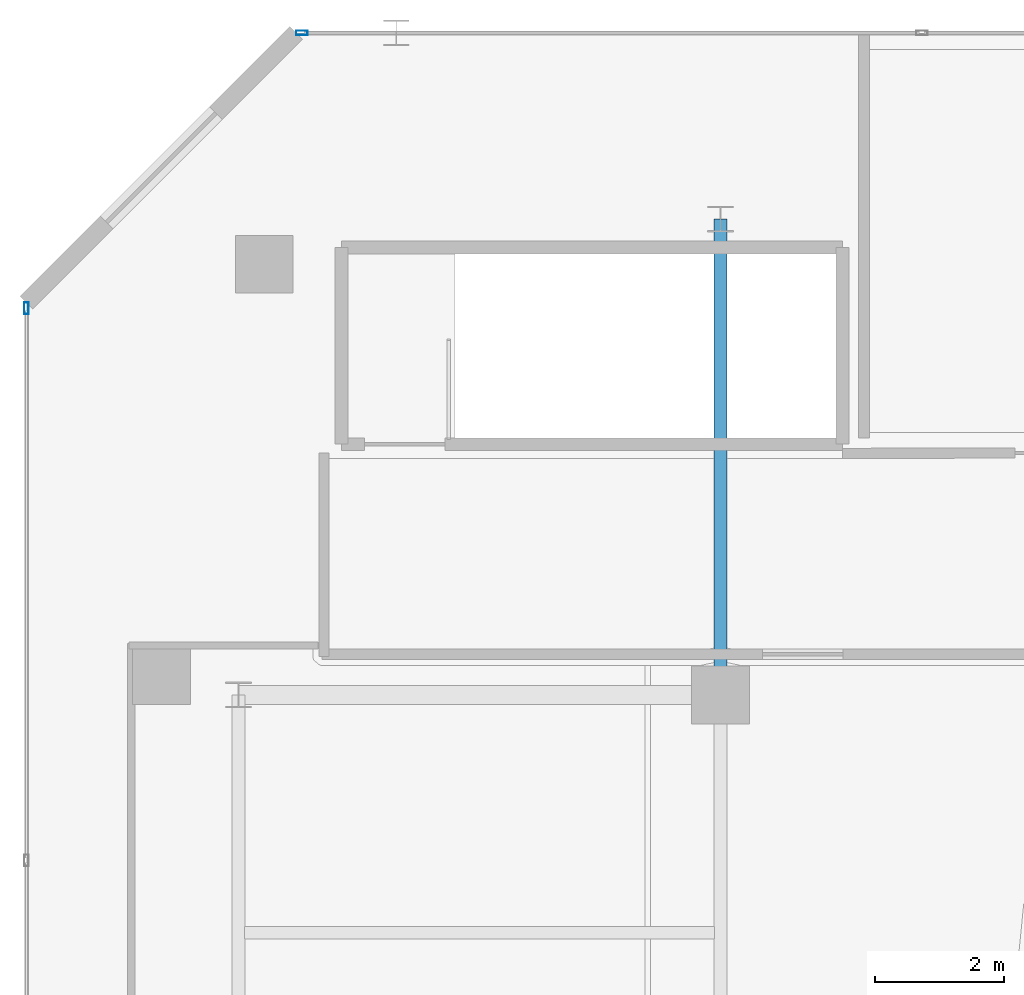
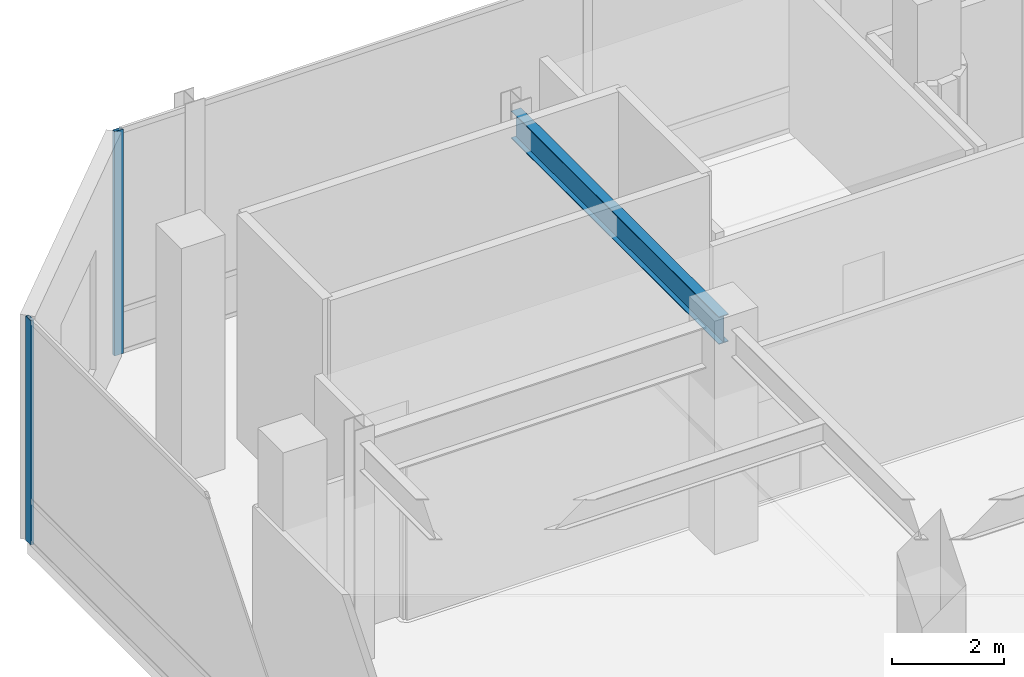
# One storey, part 17 of 40: 2 members, 1 beam, 2 elements without a shape of their own.
"""IFC4 building model written with IfcOpenShell, lengths in metres."""

from ifc_helpers import new_model, si_unit, direction, frame, origin, origin_2d, place, context, subcontext, project, spatial, hollow_rectangle, i_section, extrude, material, layer, layer_set, material_profile, profile_set, type_object, element, aggregate, save


model = new_model("IFC4")

# Units and contexts
model_context = context("Model", 3, precision=1e-05, world=origin(), true_north=direction((0.0, 1.0)))
body_context = subcontext(model_context, "Body", "Model", "MODEL_VIEW")
ifc_project = project(units=[si_unit("LENGTHUNIT", "METRE"), si_unit("AREAUNIT", "SQUARE_METRE"), si_unit("VOLUMEUNIT", "CUBIC_METRE"), si_unit("PLANEANGLEUNIT", "RADIAN"), si_unit("MASSUNIT", "GRAM", prefix="KILO")], contexts=[model_context])

# Site, building, storey
site_placement = place(None, origin())
site = spatial("IfcSite", under=ifc_project, at=site_placement, CompositionType="ELEMENT")
building_placement = place(site_placement, origin())
building = spatial("IfcBuilding", under=site, at=building_placement, Name="Qianvela Tower", CompositionType="ELEMENT")
storey_placement = place(building_placement, frame((0.0, 0.0, 20.60009765625)))
storey = spatial("IfcBuildingStorey", under=building, at=storey_placement, Name="L04", CompositionType="ELEMENT", Elevation=20.60009765625)

# Beam
ifc_material_1 = material(Name="Steel Q355B", Category="steel")
ifc_material_profile_1 = material_profile(ifc_material_1, i_section(OverallWidth=0.199951171875, OverallDepth=0.60009765625, WebThickness=0.010986328125, FlangeThickness=0.01708984375, at=origin_2d()), Name="HN600x200x11x17")
ifc_profile_set_1 = profile_set([ifc_material_profile_1], Name="Steel Q355B")
beam_type = type_object("IfcBeamType", Name="BM-HN600-GIRD", PredefinedType="BEAM", material=ifc_profile_set_1)
beam_placement = place(storey_placement, frame((15.0, 37.199951171875, 4.497802734375), z_axis=(0.0, 1.0, 0.0), x_axis=(-1.0, 0.0, 0.0)))
element("IfcBeam", 1, at=beam_placement, inside=storey, type_object=beam_type, Name="L04 North-South Grid Girder 24", PredefinedType="BEAM", context=body_context, shape_type="SweptSolid", body=[
    extrude(i_section(OverallWidth=0.199951171875, OverallDepth=0.60009765625, WebThickness=0.010986328125, FlangeThickness=0.01708984375, at=origin_2d()), origin(), (0.0, 0.0, 1.0), 7.400146484375),
])

# Curtain wall, member
ifc_material_2 = material(Name="Anodised Architectural Aluminium and Low-E Glass", Category="aluminium")
ifc_layer = layer(ifc_material_2, 0.179931640625)
ifc_layer_set = layer_set([ifc_layer], Name="Anodised Architectural Aluminium and Low-E Glass")
curtain_wall_type = type_object("IfcCurtainWallType", Name="CW-COMMONS", PredefinedType="USERDEFINED", material=ifc_layer_set)
curtain_wall_1_placement = place(storey_placement, origin())
curtain_wall_1 = element("IfcCurtainWall", 2, at=curtain_wall_1_placement, inside=storey, type_object=curtain_wall_type, Name="L04 CW-COMMONS Curtain Wall 05", ObjectType="CURTAIN_WALL_SYSTEM", PredefinedType="USERDEFINED")
ifc_material_3 = material(Name="Anodised Architectural Aluminium 6063-T6", Category="aluminium")
ifc_material_profile_2 = material_profile(ifc_material_3, hollow_rectangle(XDim=0.070068359375, YDim=0.179931640625, WallThickness=0.0048828125, at=origin_2d()), Name="ALU-MULL-70x180")
ifc_profile_set_2 = profile_set([ifc_material_profile_2], Name="Anodised Architectural Aluminium 6063-T6")
member_type = type_object("IfcMemberType", Name="CW-COMMONS-MULL", PredefinedType="MULLION", material=ifc_profile_set_2)
member_1_placement = place(storey_placement, frame((8.485107421875, 47.5, 0.0), z_axis=(0.0, 0.0, 1.0), x_axis=(0.0, -1.0, 0.0)))
member_1 = element("IfcMember", 3, at=member_1_placement, type_object=member_type, Name="CW-2 mullion 7", PredefinedType="MULLION", context=body_context, shape_type="SweptSolid", body=[
    extrude(hollow_rectangle(XDim=0.070068359375, YDim=0.179931640625, WallThickness=0.0048828125, at=origin_2d()), origin(), (0.0, 0.0, 1.0), 4.8798828125),
])
aggregate(curtain_wall_1, [member_1])

curtain_wall_2_placement = place(storey_placement, origin())
curtain_wall_2 = element("IfcCurtainWall", 4, at=curtain_wall_2_placement, inside=storey, type_object=curtain_wall_type, Name="L04 CW-COMMONS Curtain Wall 07", ObjectType="CURTAIN_WALL_SYSTEM", PredefinedType="USERDEFINED")
member_2_placement = place(storey_placement, frame((4.199951171875, 43.215087890625, 0.0), z_axis=(0.0, 0.0, 1.0), x_axis=(1.0, 0.0, 0.0)))
member_2 = element("IfcMember", 5, at=member_2_placement, type_object=member_type, Name="CW-2 mullion 1", PredefinedType="MULLION", context=body_context, shape_type="SweptSolid", body=[
    extrude(hollow_rectangle(XDim=0.070068359375, YDim=0.179931640625, WallThickness=0.0048828125, at=origin_2d()), origin(), (0.0, 0.0, 1.0), 4.8798828125),
])
aggregate(curtain_wall_2, [member_2])

save(model, "model.ifc")
